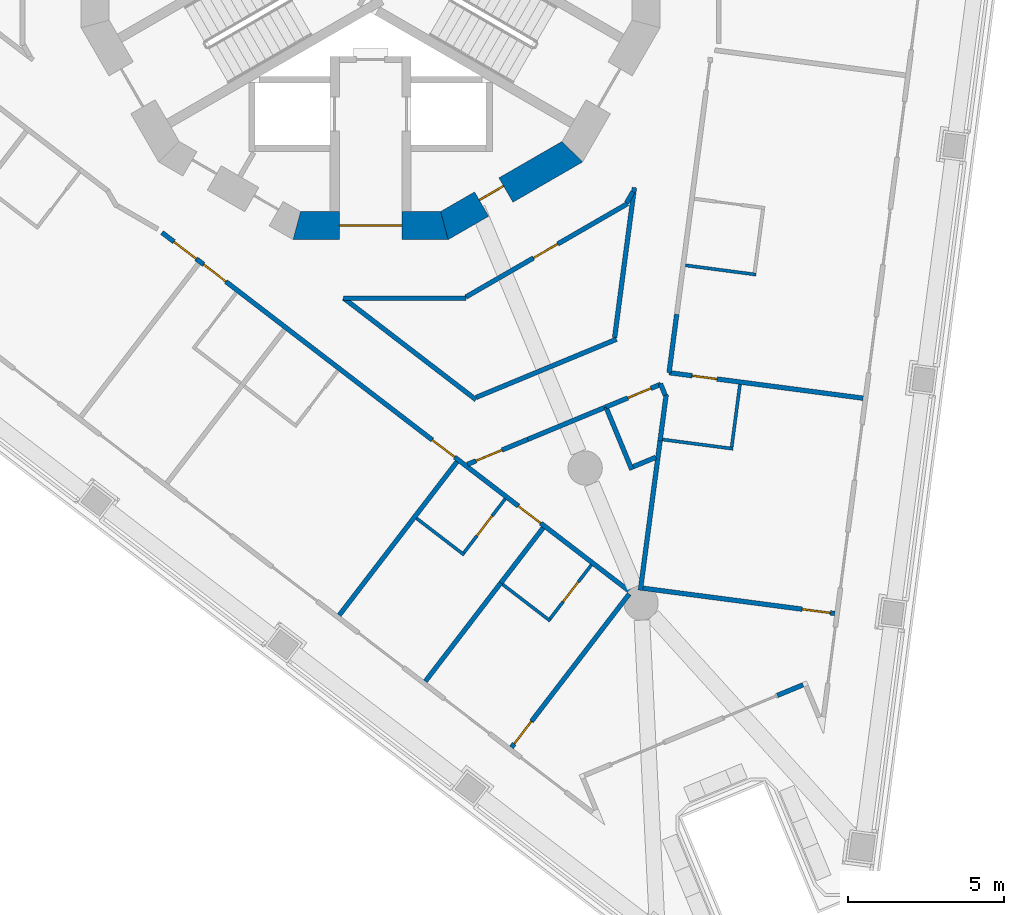
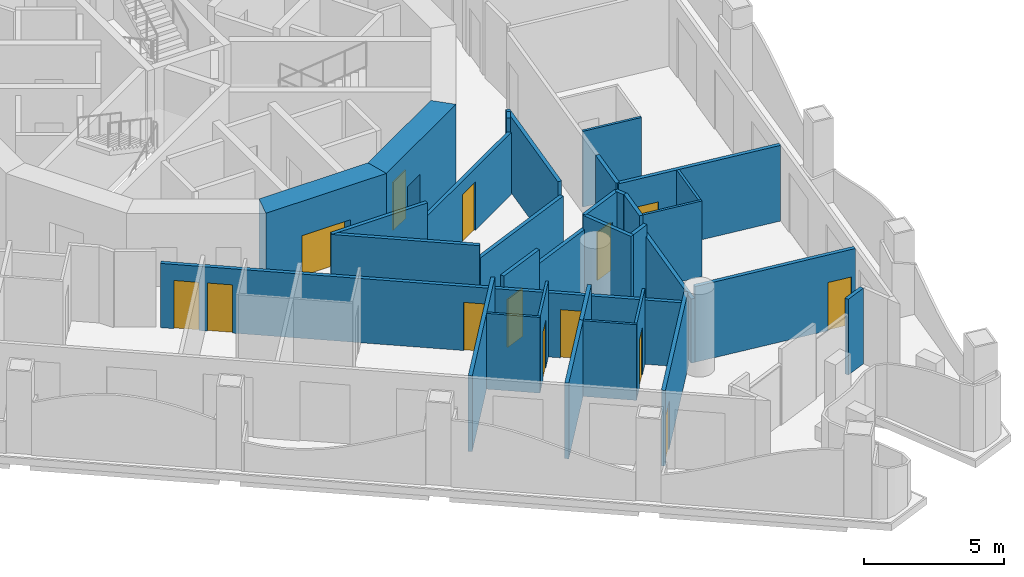
# One storey, part 4 of 17: 32 walls, 14 doors, 14 openings.
"""IFC4 building model written with IfcOpenShell, lengths in metres."""

from ifc_helpers import new_model, si_unit, direction, frame, frame_2d, origin, place, context, subcontext, project, spatial, polyline, rectangle, outline, extrude, material, layer, layer_set, type_object, element, fill, save


model = new_model("IFC4")

# Units and contexts
model_context = context("Model", 3, precision=1e-05, world=origin(), true_north=direction((0.0, 1.0)))
body_context = subcontext(model_context, "Body", "Model", "MODEL_VIEW")
ifc_project = project(units=[si_unit("LENGTHUNIT", "METRE"), si_unit("AREAUNIT", "SQUARE_METRE"), si_unit("VOLUMEUNIT", "CUBIC_METRE"), si_unit("PLANEANGLEUNIT", "RADIAN"), si_unit("MASSUNIT", "GRAM", prefix="KILO")], contexts=[model_context])

# Site, building, storey
site_placement = place(None, origin())
site = spatial("IfcSite", under=ifc_project, at=site_placement, CompositionType="ELEMENT")
building_placement = place(site_placement, origin())
building = spatial("IfcBuilding", under=site, at=building_placement, Name="Trine Commons Tower", CompositionType="ELEMENT")
storey_placement = place(building_placement, frame((0.0, 0.0, 138.60009765625)))
storey = spatial("IfcBuildingStorey", under=building, at=storey_placement, Name="L35", CompositionType="ELEMENT", Elevation=138.60009765625)

# Wall
ifc_material_1 = material(Name="Aluminium-framed insulated wall panel", Category="aluminium")
ifc_layer_1 = layer(ifc_material_1, 0.14990234375)
ifc_layer_set_1 = layer_set([ifc_layer_1], Name="Aluminium-framed insulated wall panel")
wall_type_1 = type_object("IfcWallType", Name="Glazed frame wall 150, EI 60", PredefinedType="SOLIDWALL", material=ifc_layer_set_1)
wall_1_placement = place(storey_placement, frame((93.951416015625, 39.009521484375, 0.0), z_axis=(0.0, 0.0, 1.0), x_axis=(-0.923826362943, -0.382811769845, 0.0)))
element("IfcWall", 1, at=wall_1_placement, inside=storey, type_object=wall_type_1, Name="Glazed frame wall P3.1", PredefinedType="SOLIDWALL", context=body_context, shape_type="SweptSolid", body=[
    extrude(outline(polyline([(0.110107421875, -0.074951171875), (1.0, -0.074951171875), (1.0, 0.074951171875), (0.110107421875, 0.074951171875), (0.110107421875, -0.074951171875)])), origin(), (0.0, 0.0, 1.0), 3.2998046875),
])

# Wall, opening, door
ifc_material_2 = material(Name="Concrete C70/85", Category="concrete")
ifc_layer_2 = layer(ifc_material_2, 0.89990234375)
ifc_layer_set_2 = layer_set([ifc_layer_2], Name="Concrete C70/85")
wall_type_2 = type_object("IfcWallType", Name="RC shear wall 900 mm, C70/85", PredefinedType="SHEAR", material=ifc_layer_set_2)
wall_2_placement = place(storey_placement, frame((77.515380859375, 53.677001953125, 0.0), z_axis=(0.0, 0.0, 1.0), x_axis=(1.0, 0.0, 0.0)))
wall_2 = element("IfcWall", 2, at=wall_2_placement, inside=storey, type_object=wall_type_2, Name="Core wall CWD-10 L35", PredefinedType="SHEAR", context=body_context, shape_type="SweptSolid", body=[
    extrude(outline(polyline([(0.0, -0.449951171875), (4.969482421875, -0.449951171875), (4.728271484375, 0.449951171875), (0.2412109375, 0.449951171875), (0.0, -0.449951171875)])), origin(), (0.0, 0.0, 1.0), 3.599853515625),
])
opening_1_placement = place(wall_2_placement, frame((1.484619140625, 0.0, 0.0)))
opening_1 = element("IfcOpeningElement", 3, at=opening_1_placement, cuts=wall_2, Name="Opening K10.08", PredefinedType="OPENING", context=body_context, shape_type="SweptSolid", body=[
    extrude(rectangle(XDim=2.0, YDim=2.10009765625, at=frame_2d((1.0, 1.050048828125))), frame((0.0, 0.4599609375, 0.0), z_axis=(0.0, -1.0, 0.0), x_axis=(1.0, 0.0, 0.0)), (0.0, 0.0, 1.0), 0.919921875),
])
ifc_material_3 = material(Name="Steel door leaves, fire-rated", Category="steel")
door_type_1 = type_object("IfcDoorType", Name="Lobby door, double leaf 2000 x 2100, FD60", OperationType="DOUBLE_DOOR_SINGLE_SWING", PredefinedType="DOOR", material=ifc_material_3)
door_1_placement = place(opening_1_placement, origin())
door_1 = element("IfcDoor", 4, at=door_1_placement, inside=storey, type_object=door_type_1, Name="Lobby door, Service and firefighting lobby L35", OperationType="DOUBLE_DOOR_SINGLE_SWING", OverallHeight=2.10009765625, OverallWidth=2.0, PredefinedType="DOOR", context=body_context, shape_type="SweptSolid", body=[
    extrude(rectangle(XDim=2.0, YDim=2.10009765625, at=frame_2d((1.0, 1.050048828125))), frame((0.0, 0.02490234375, 0.0), z_axis=(0.0, -1.0, 0.0), x_axis=(1.0, 0.0, 0.0)), (0.0, 0.0, 1.0), 0.050048828125),
])
fill(opening_1, door_1)

wall_3_placement = place(storey_placement, frame((82.259765625, 53.61669921875, 0.0), z_axis=(0.0, 0.0, 1.0), x_axis=(0.866003133579, 0.500038571144, 0.0)))
wall_3 = element("IfcWall", 5, at=wall_3_placement, inside=storey, type_object=wall_type_2, Name="Core wall CWD-11 L35", PredefinedType="SHEAR", context=body_context, shape_type="SweptSolid", body=[
    extrude(outline(polyline([(0.0, -0.449951171875), (4.96923828125, -0.449951171875), (4.72802734375, 0.449951171875), (0.2412109375, 0.449951171875), (0.0, -0.449951171875)])), origin(), (0.0, 0.0, 1.0), 3.599853515625),
])
opening_2_placement = place(wall_3_placement, frame((1.4951171875, 0.0, 0.0)))
opening_2 = element("IfcOpeningElement", 6, at=opening_2_placement, cuts=wall_3, Name="Opening K10.18", PredefinedType="OPENING", context=body_context, shape_type="SweptSolid", body=[
    extrude(rectangle(XDim=0.89990234375, YDim=2.10009765625, at=frame_2d((0.449951171875, 1.050048828125))), frame((0.0, 0.4599609375, 0.0), z_axis=(0.0, -1.0, 0.0), x_axis=(1.0, 0.0, 0.0)), (0.0, 0.0, 1.0), 0.919921875),
])
ifc_material_4 = material(Name="Steel door leaf, fire-rated", Category="steel")
door_type_2 = type_object("IfcDoorType", Name="Core room door, single leaf 900 x 2100, FD30S", OperationType="SINGLE_SWING_LEFT", PredefinedType="DOOR", material=ifc_material_4)
door_2_placement = place(opening_2_placement, origin())
door_2 = element("IfcDoor", 7, at=door_2_placement, inside=storey, type_object=door_type_2, Name="Door to Parcel store L35", OperationType="SINGLE_SWING_LEFT", OverallHeight=2.10009765625, OverallWidth=0.89990234375, PredefinedType="DOOR", context=body_context, shape_type="SweptSolid", body=[
    extrude(rectangle(XDim=0.89990234375, YDim=2.10009765625, at=frame_2d((0.449951171875, 1.050048828125))), frame((0.0, 0.1748046875, 0.0), z_axis=(0.0, -1.0, 0.0), x_axis=(1.0, 0.0, 0.0)), (0.0, 0.0, 1.0), 0.050048828125),
])
fill(opening_2, door_2)

# Wall, openings, doors
ifc_material_5 = material(Name="Gypsum plasterboard on steel stud", Category="steel")
ifc_layer_3 = layer(ifc_material_5, 0.14990234375)
ifc_layer_set_3 = layer_set([ifc_layer_3], Name="Gypsum plasterboard on steel stud")
wall_type_3 = type_object("IfcWallType", Name="Unit and corridor wall 150 mm, EI 60", PredefinedType="PARTITIONING", material=ifc_layer_set_3)
wall_4_placement = place(storey_placement, frame((73.318115234375, 53.4541015625, 0.0), z_axis=(0.0, 0.0, 1.0), x_axis=(0.793337765411, -0.60878172605, 0.0)))
wall_4 = element("IfcWall", 8, at=wall_4_placement, inside=storey, type_object=wall_type_3, Name="Partition 052", PredefinedType="PARTITIONING", context=body_context, shape_type="SweptSolid", body=[
    extrude(rectangle(XDim=18.994873046875, YDim=0.14990234375, at=frame_2d((9.49755859375, 0.0))), origin(), (0.0, 0.0, 1.0), 2.7998046875),
])
opening_3_placement = place(wall_4_placement, frame((14.39306640625, 0.0, 0.0)))
opening_3 = element("IfcOpeningElement", 9, at=opening_3_placement, cuts=wall_4, Name="Opening D-4B21", PredefinedType="OPENING", context=body_context, shape_type="SweptSolid", body=[
    extrude(rectangle(XDim=0.89990234375, YDim=2.10009765625, at=frame_2d((0.449951171875, 1.050048828125))), frame((0.0, 0.0849609375, 0.0), z_axis=(0.0, -1.0, 0.0), x_axis=(1.0, 0.0, 0.0)), (0.0, 0.0, 1.0), 0.169921875),
])
opening_4_placement = place(wall_4_placement, frame((10.91552734375, 0.0, 0.0)))
opening_4 = element("IfcOpeningElement", 10, at=opening_4_placement, cuts=wall_4, Name="Opening D-4B22", PredefinedType="OPENING", context=body_context, shape_type="SweptSolid", body=[
    extrude(rectangle(XDim=0.89990234375, YDim=2.10009765625, at=frame_2d((0.449951171875, 1.050048828125))), frame((0.0, 0.0849609375, 0.0), z_axis=(0.0, -1.0, 0.0), x_axis=(1.0, 0.0, 0.0)), (0.0, 0.0, 1.0), 0.169921875),
])
opening_5_placement = place(wall_4_placement, frame((1.6826171875, 0.0, 0.0)))
opening_5 = element("IfcOpeningElement", 11, at=opening_5_placement, cuts=wall_4, Name="Opening D-4B23", PredefinedType="OPENING", context=body_context, shape_type="SweptSolid", body=[
    extrude(rectangle(XDim=0.89990234375, YDim=2.10009765625, at=frame_2d((0.449951171875, 1.050048828125))), frame((0.0, 0.0849609375, 0.0), z_axis=(0.0, -1.0, 0.0), x_axis=(1.0, 0.0, 0.0)), (0.0, 0.0, 1.0), 0.169921875),
])
opening_6_placement = place(wall_4_placement, frame((0.482666015625, 0.0, 0.0)))
opening_6 = element("IfcOpeningElement", 12, at=opening_6_placement, cuts=wall_4, Name="Opening D-4B24", PredefinedType="OPENING", context=body_context, shape_type="SweptSolid", body=[
    extrude(rectangle(XDim=0.89990234375, YDim=2.10009765625, at=frame_2d((0.449951171875, 1.050048828125))), frame((0.0, 0.0849609375, 0.0), z_axis=(0.0, -1.0, 0.0), x_axis=(1.0, 0.0, 0.0)), (0.0, 0.0, 1.0), 0.169921875),
])
ifc_material_6 = material(Name="Timber fire door set", Category="wood")
door_type_3 = type_object("IfcDoorType", Name="Bedroom door 900 x 2100, FD30S", OperationType="NOTDEFINED", PredefinedType="DOOR", material=ifc_material_6)
door_3_placement = place(opening_3_placement, frame((0.89990234375, 0.0, 0.0), z_axis=(0.0, 0.0, 1.0), x_axis=(-1.0, 0.0, 0.0)))
door_3 = element("IfcDoor", 13, at=door_3_placement, inside=storey, type_object=door_type_3, Name="Door D-4B21", OperationType="SINGLE_SWING_LEFT", OverallHeight=2.10009765625, OverallWidth=0.89990234375, PredefinedType="DOOR", context=body_context, shape_type="SweptSolid", body=[
    extrude(rectangle(XDim=0.89990234375, YDim=2.10009765625, at=frame_2d((0.449951171875, 1.050048828125))), frame((0.0, 0.02490234375, 0.0), z_axis=(0.0, -1.0, 0.0), x_axis=(1.0, 0.0, 0.0)), (0.0, 0.0, 1.0), 0.050048828125),
])
fill(opening_3, door_3)
door_4_placement = place(opening_4_placement, frame((0.89990234375, 0.0, 0.0), z_axis=(0.0, 0.0, 1.0), x_axis=(-1.0, 0.0, 0.0)))
door_4 = element("IfcDoor", 14, at=door_4_placement, inside=storey, type_object=door_type_3, Name="Door D-4B22", OperationType="SINGLE_SWING_LEFT", OverallHeight=2.10009765625, OverallWidth=0.89990234375, PredefinedType="DOOR", context=body_context, shape_type="SweptSolid", body=[
    extrude(rectangle(XDim=0.89990234375, YDim=2.10009765625, at=frame_2d((0.449951171875, 1.050048828125))), frame((0.0, 0.02490234375, 0.0), z_axis=(0.0, -1.0, 0.0), x_axis=(1.0, 0.0, 0.0)), (0.0, 0.0, 1.0), 0.050048828125),
])
fill(opening_4, door_4)
door_5_placement = place(opening_5_placement, frame((0.89990234375, 0.0, 0.0), z_axis=(0.0, 0.0, 1.0), x_axis=(-1.0, 0.0, 0.0)))
door_5 = element("IfcDoor", 15, at=door_5_placement, inside=storey, type_object=door_type_3, Name="Door D-4B23", OperationType="SINGLE_SWING_RIGHT", OverallHeight=2.10009765625, OverallWidth=0.89990234375, PredefinedType="DOOR", context=body_context, shape_type="SweptSolid", body=[
    extrude(rectangle(XDim=0.89990234375, YDim=2.10009765625, at=frame_2d((0.449951171875, 1.050048828125))), frame((0.0, 0.02490234375, 0.0), z_axis=(0.0, -1.0, 0.0), x_axis=(1.0, 0.0, 0.0)), (0.0, 0.0, 1.0), 0.050048828125),
])
fill(opening_5, door_5)
door_6_placement = place(opening_6_placement, frame((0.89990234375, 0.0, 0.0), z_axis=(0.0, 0.0, 1.0), x_axis=(-1.0, 0.0, 0.0)))
door_6 = element("IfcDoor", 16, at=door_6_placement, inside=storey, type_object=door_type_3, Name="Door D-4B24", OperationType="SINGLE_SWING_RIGHT", OverallHeight=2.10009765625, OverallWidth=0.89990234375, PredefinedType="DOOR", context=body_context, shape_type="SweptSolid", body=[
    extrude(rectangle(XDim=0.89990234375, YDim=2.10009765625, at=frame_2d((0.449951171875, 1.050048828125))), frame((0.0, 0.02490234375, 0.0), z_axis=(0.0, -1.0, 0.0), x_axis=(1.0, 0.0, 0.0)), (0.0, 0.0, 1.0), 0.050048828125),
])
fill(opening_6, door_6)

# Walls
wall_5_placement = place(storey_placement, frame((78.994384765625, 41.19677734375, 0.0), z_axis=(0.0, 0.0, 1.0), x_axis=(0.608811285709, 0.79331508141, 0.0)))
element("IfcWall", 17, at=wall_5_placement, inside=storey, type_object=wall_type_3, Name="Partition 069", PredefinedType="PARTITIONING", context=body_context, shape_type="SweptSolid", body=[
    extrude(rectangle(XDim=6.194091796875, YDim=0.14990234375, at=frame_2d((3.09716796875, 0.0))), origin(), (0.0, 0.0, 1.0), 3.2998046875),
])
wall_6_placement = place(storey_placement, frame((79.134033203125, 51.35205078125, 0.0), z_axis=(0.0, 0.0, 1.0), x_axis=(1.0, 0.0, 0.0)))
element("IfcWall", 18, at=wall_6_placement, inside=storey, type_object=wall_type_3, Name="Partition 071", PredefinedType="PARTITIONING", context=body_context, shape_type="SweptSolid", body=[
    extrude(rectangle(XDim=3.927978515625, YDim=0.14990234375, at=frame_2d((1.9638671875, 0.0))), origin(), (0.0, 0.0, 1.0), 3.2998046875),
])
wall_7_placement = place(storey_placement, frame((79.137939453125, 51.35205078125, 0.0), z_axis=(0.0, 0.0, 1.0), x_axis=(0.793274409151, -0.608864280268, 0.0)))
element("IfcWall", 19, at=wall_7_placement, inside=storey, type_object=wall_type_3, Name="Partition 072", PredefinedType="PARTITIONING", context=body_context, shape_type="SweptSolid", body=[
    extrude(rectangle(XDim=5.340576171875, YDim=0.14990234375, at=frame_2d((2.67041015625, 0.0))), origin(), (0.0, 0.0, 1.0), 3.2998046875),
])
wall_8_placement = place(storey_placement, frame((81.75341796875, 39.07958984375, 0.0), z_axis=(0.0, 0.0, 1.0), x_axis=(0.608586492439, 0.793487543204, 0.0)))
element("IfcWall", 20, at=wall_8_placement, inside=storey, type_object=wall_type_3, Name="Partition 078", PredefinedType="PARTITIONING", context=body_context, shape_type="SweptSolid", body=[
    extrude(rectangle(XDim=3.968994140625, YDim=0.14990234375, at=frame_2d((1.984375, 0.0))), origin(), (0.0, 0.0, 1.0), 3.2998046875),
])

# Wall, opening, door
wall_9_placement = place(storey_placement, frame((83.052001953125, 51.389404296875, 0.0), z_axis=(0.0, 0.0, 1.0), x_axis=(0.866039280689, 0.499975963725, 0.0)))
wall_9 = element("IfcWall", 21, at=wall_9_placement, inside=storey, type_object=wall_type_3, Name="Partition 083", PredefinedType="PARTITIONING", context=body_context, shape_type="SweptSolid", body=[
    extrude(rectangle(XDim=5.974365234375, YDim=0.14990234375, at=frame_2d((2.9873046875, 0.0))), origin(), (0.0, 0.0, 1.0), 2.699951171875),
])
opening_7_placement = place(wall_9_placement, frame((2.499755859375, 0.0, 0.0)))
opening_7 = element("IfcOpeningElement", 22, at=opening_7_placement, cuts=wall_9, Name="Opening D-4B29", PredefinedType="OPENING", context=body_context, shape_type="SweptSolid", body=[
    extrude(rectangle(XDim=0.89990234375, YDim=2.10009765625, at=frame_2d((0.449951171875, 1.050048828125))), frame((0.0, 0.0849609375, 0.0), z_axis=(0.0, -1.0, 0.0), x_axis=(1.0, 0.0, 0.0)), (0.0, 0.0, 1.0), 0.169921875),
])
door_type_4 = type_object("IfcDoorType", Name="Service door 900 x 2100, FD30S", OperationType="NOTDEFINED", PredefinedType="DOOR", material=ifc_material_6)
door_7_placement = place(opening_7_placement, frame((0.89990234375, 0.0, 0.0), z_axis=(0.0, 0.0, 1.0), x_axis=(-1.0, 0.0, 0.0)))
door_7 = element("IfcDoor", 23, at=door_7_placement, inside=storey, type_object=door_type_4, Name="Door D-4B29", OperationType="SINGLE_SWING_RIGHT", OverallHeight=2.10009765625, OverallWidth=0.89990234375, PredefinedType="DOOR", context=body_context, shape_type="SweptSolid", body=[
    extrude(rectangle(XDim=0.89990234375, YDim=2.10009765625, at=frame_2d((0.449951171875, 1.050048828125))), frame((0.0, 0.02490234375, 0.0), z_axis=(0.0, -1.0, 0.0), x_axis=(1.0, 0.0, 0.0)), (0.0, 0.0, 1.0), 0.050048828125),
])
fill(opening_7, door_7)

wall_10_placement = place(storey_placement, frame((83.102294921875, 46.02880859375, 0.0), z_axis=(0.0, 0.0, 1.0), x_axis=(0.923986937012, 0.382424031973, 0.0)))
wall_10 = element("IfcWall", 24, at=wall_10_placement, inside=storey, type_object=wall_type_3, Name="Partition 085", PredefinedType="PARTITIONING", context=body_context, shape_type="SweptSolid", body=[
    extrude(rectangle(XDim=2.089599609375, YDim=0.14990234375, at=frame_2d((1.044921875, 0.0))), origin(), (0.0, 0.0, 1.0), 3.2998046875),
])
opening_8_placement = place(wall_10_placement, frame((0.2978515625, 0.0, 0.0)))
opening_8 = element("IfcOpeningElement", 25, at=opening_8_placement, cuts=wall_10, Name="Opening D-4B02", PredefinedType="OPENING", context=body_context, shape_type="SweptSolid", body=[
    extrude(rectangle(XDim=0.89990234375, YDim=2.10009765625, at=frame_2d((0.449951171875, 1.050048828125))), frame((0.0, 0.0849609375, 0.0), z_axis=(0.0, -1.0, 0.0), x_axis=(1.0, 0.0, 0.0)), (0.0, 0.0, 1.0), 0.169921875),
])
door_type_5 = type_object("IfcDoorType", Name="Cluster entrance door 900 x 2100, FD30S", OperationType="NOTDEFINED", PredefinedType="DOOR", material=ifc_material_6)
door_8_placement = place(opening_8_placement, frame((0.89990234375, 0.0, 0.0), z_axis=(0.0, 0.0, 1.0), x_axis=(-1.0, 0.0, 0.0)))
door_8 = element("IfcDoor", 26, at=door_8_placement, inside=storey, type_object=door_type_5, Name="Door D-4B02", OperationType="SINGLE_SWING_RIGHT", OverallHeight=2.10009765625, OverallWidth=0.89990234375, PredefinedType="DOOR", context=body_context, shape_type="SweptSolid", body=[
    extrude(rectangle(XDim=0.89990234375, YDim=2.10009765625, at=frame_2d((0.449951171875, 1.050048828125))), frame((0.0, 0.02490234375, 0.0), z_axis=(0.0, -1.0, 0.0), x_axis=(1.0, 0.0, 0.0)), (0.0, 0.0, 1.0), 0.050048828125),
])
fill(opening_8, door_8)

# Walls
wall_11_placement = place(storey_placement, frame((83.38427734375, 48.1748046875, 0.0), z_axis=(0.0, 0.0, 1.0), x_axis=(0.923876009177, 0.382691938335, 0.0)))
element("IfcWall", 27, at=wall_11_placement, inside=storey, type_object=wall_type_3, Name="Partition 086", PredefinedType="PARTITIONING", context=body_context, shape_type="SweptSolid", body=[
    extrude(rectangle(XDim=4.85986328125, YDim=0.14990234375, at=frame_2d((2.429931640625, 0.0))), origin(), (0.0, 0.0, 1.0), 2.699951171875),
])
wall_12_placement = place(storey_placement, frame((84.1689453125, 42.22900390625, 0.0), z_axis=(0.0, 0.0, 1.0), x_axis=(0.609212171412, 0.793007269956, 0.0)))
element("IfcWall", 28, at=wall_12_placement, inside=storey, type_object=wall_type_3, Name="Partition 088", PredefinedType="PARTITIONING", context=body_context, shape_type="SweptSolid", body=[
    extrude(rectangle(XDim=2.224853515625, YDim=0.14990234375, at=frame_2d((1.1123046875, 0.0))), origin(), (0.0, 0.0, 1.0), 3.2998046875),
])

# Wall, opening, door
wall_13_placement = place(storey_placement, frame((84.51220703125, 36.962646484375, 0.0), z_axis=(0.0, 0.0, 1.0), x_axis=(0.608712047114, 0.79339122991, 0.0)))
wall_13 = element("IfcWall", 29, at=wall_13_placement, inside=storey, type_object=wall_type_3, Name="Partition 090", PredefinedType="PARTITIONING", context=body_context, shape_type="SweptSolid", body=[
    extrude(rectangle(XDim=6.193359375, YDim=0.14990234375, at=frame_2d((3.0966796875, 0.0))), origin(), (0.0, 0.0, 1.0), 3.2998046875),
])
opening_9_placement = place(wall_13_placement, frame((0.14990234375, 0.0, 0.0)))
opening_9 = element("IfcOpeningElement", 30, at=opening_9_placement, cuts=wall_13, Name="Opening D-4B20", PredefinedType="OPENING", context=body_context, shape_type="SweptSolid", body=[
    extrude(rectangle(XDim=0.89990234375, YDim=2.10009765625, at=frame_2d((0.449951171875, 1.050048828125))), frame((0.0, 0.0849609375, 0.0), z_axis=(0.0, -1.0, 0.0), x_axis=(1.0, 0.0, 0.0)), (0.0, 0.0, 1.0), 0.169921875),
])
door_9_placement = place(opening_9_placement, origin())
door_9 = element("IfcDoor", 31, at=door_9_placement, inside=storey, type_object=door_type_3, Name="Door D-4B20", OperationType="SINGLE_SWING_LEFT", OverallHeight=2.10009765625, OverallWidth=0.89990234375, PredefinedType="DOOR", context=body_context, shape_type="SweptSolid", body=[
    extrude(rectangle(XDim=0.89990234375, YDim=2.10009765625, at=frame_2d((0.449951171875, 1.050048828125))), frame((0.0, 0.02490234375, 0.0), z_axis=(0.0, -1.0, 0.0), x_axis=(1.0, 0.0, 0.0)), (0.0, 0.0, 1.0), 0.050048828125),
])
fill(opening_9, door_9)

# Wall
wall_14_placement = place(storey_placement, frame((85.032958984375, 46.827880859375, 0.0), z_axis=(0.0, 0.0, 1.0), x_axis=(0.923769467477, 0.382949044857, 0.0)))
element("IfcWall", 32, at=wall_14_placement, inside=storey, type_object=wall_type_3, Name="Partition 091", PredefinedType="PARTITIONING", context=body_context, shape_type="SweptSolid", body=[
    extrude(rectangle(XDim=2.695556640625, YDim=0.14990234375, at=frame_2d((1.34765625, 0.0))), origin(), (0.0, 0.0, 1.0), 2.699951171875),
])

# Wall, opening, door
wall_15_placement = place(storey_placement, frame((87.532958984375, 47.864013671875, 0.0), z_axis=(0.0, 0.0, 1.0), x_axis=(0.923851437131, 0.382751253571, 0.0)))
wall_15 = element("IfcWall", 33, at=wall_15_placement, inside=storey, type_object=wall_type_3, Name="Partition 099", PredefinedType="PARTITIONING", context=body_context, shape_type="SweptSolid", body=[
    extrude(rectangle(XDim=1.9072265625, YDim=0.14990234375, at=frame_2d((0.95361328125, 0.0))), origin(), (0.0, 0.0, 1.0), 3.2998046875),
])
opening_10_placement = place(wall_15_placement, frame((0.764892578125, 0.0, 0.0)))
opening_10 = element("IfcOpeningElement", 34, at=opening_10_placement, cuts=wall_15, Name="Opening D-4B04", PredefinedType="OPENING", context=body_context, shape_type="SweptSolid", body=[
    extrude(rectangle(XDim=0.800048828125, YDim=2.10009765625, at=frame_2d((0.39990234375, 1.050048828125))), frame((0.0, 0.0849609375, 0.0), z_axis=(0.0, -1.0, 0.0), x_axis=(1.0, 0.0, 0.0)), (0.0, 0.0, 1.0), 0.169921875),
])
ifc_material_7 = material(Name="Painted timber", Category="wood")
door_type_6 = type_object("IfcDoorType", Name="Toilet door 800 x 2100, NOT RATED", OperationType="NOTDEFINED", PredefinedType="DOOR", material=ifc_material_7)
door_10_placement = place(opening_10_placement, frame((0.800048828125, 0.0, 0.0), z_axis=(0.0, 0.0, 1.0), x_axis=(-1.0, 0.0, 0.0)))
door_10 = element("IfcDoor", 35, at=door_10_placement, inside=storey, type_object=door_type_6, Name="Door D-4B04", OperationType="SINGLE_SWING_LEFT", OverallHeight=2.10009765625, OverallWidth=0.800048828125, PredefinedType="DOOR", context=body_context, shape_type="SweptSolid", body=[
    extrude(rectangle(XDim=0.800048828125, YDim=2.10009765625, at=frame_2d((0.39990234375, 1.050048828125))), frame((0.0, 0.02490234375, 0.0), z_axis=(0.0, -1.0, 0.0), x_axis=(1.0, 0.0, 0.0)), (0.0, 0.0, 1.0), 0.050048828125),
])
fill(opening_10, door_10)

# Walls
wall_16_placement = place(storey_placement, frame((87.537109375, 47.864990234375, 0.0), z_axis=(0.0, 0.0, 1.0), x_axis=(0.382398068784, -0.923997682351, 0.0)))
element("IfcWall", 36, at=wall_16_placement, inside=storey, type_object=wall_type_3, Name="Partition 100", PredefinedType="PARTITIONING", context=body_context, shape_type="SweptSolid", body=[
    extrude(rectangle(XDim=2.174560546875, YDim=0.14990234375, at=frame_2d((1.08740234375, 0.0))), origin(), (0.0, 0.0, 1.0), 3.2998046875),
])
wall_17_placement = place(storey_placement, frame((87.814697265625, 50.080322265625, 0.0), z_axis=(0.0, 0.0, 1.0), x_axis=(0.130546835993, 0.991442143351, 0.0)))
element("IfcWall", 37, at=wall_17_placement, inside=storey, type_object=wall_type_3, Name="Partition 102", PredefinedType="PARTITIONING", context=body_context, shape_type="SweptSolid", body=[
    extrude(rectangle(XDim=4.856689453125, YDim=0.14990234375, at=frame_2d((2.42822265625, 0.0))), origin(), (0.0, 0.0, 1.0), 3.2998046875),
])
wall_18_placement = place(storey_placement, frame((88.198486328125, 54.404052734375, 0.0), z_axis=(0.0, 0.0, 1.0), x_axis=(0.499481060725, 0.866324806281, 0.0)))
element("IfcWall", 38, at=wall_18_placement, inside=storey, type_object=wall_type_3, Name="Partition 105", PredefinedType="PARTITIONING", context=body_context, shape_type="SweptSolid", body=[
    extrude(rectangle(XDim=0.40869140625, YDim=0.14990234375, at=frame_2d((0.204345703125, 0.0))), origin(), (0.0, 0.0, 1.0), 3.2998046875),
])
wall_19_placement = place(storey_placement, frame((88.4091796875, 45.95361328125, 0.0), z_axis=(0.0, 0.0, 1.0), x_axis=(0.92369931044, 0.383118237484, 0.0)))
element("IfcWall", 39, at=wall_19_placement, inside=storey, type_object=wall_type_3, Name="Partition 107", PredefinedType="PARTITIONING", context=body_context, shape_type="SweptSolid", body=[
    extrude(rectangle(XDim=0.78759765625, YDim=0.14990234375, at=frame_2d((0.393798828125, 0.0))), origin(), (0.0, 0.0, 1.0), 3.2998046875),
])
wall_20_placement = place(storey_placement, frame((88.64111328125, 41.99560546875, 0.0), z_axis=(0.0, 0.0, 1.0), x_axis=(0.130614848927, 0.991433185464, 0.0)))
element("IfcWall", 40, at=wall_20_placement, inside=storey, type_object=wall_type_3, Name="Partition 108", PredefinedType="PARTITIONING", context=body_context, shape_type="SweptSolid", body=[
    extrude(rectangle(XDim=4.884033203125, YDim=0.14990234375, at=frame_2d((2.44189453125, 0.0))), origin(), (0.0, 0.0, 1.0), 2.7998046875),
])

# Wall, opening, door
wall_21_placement = place(storey_placement, frame((88.725341796875, 42.060302734375, 0.0), z_axis=(0.0, 0.0, 1.0), x_axis=(0.991454966236, -0.130449415202, 0.0)))
wall_21 = element("IfcWall", 41, at=wall_21_placement, inside=storey, type_object=wall_type_3, Name="Partition 109", PredefinedType="PARTITIONING", context=body_context, shape_type="SweptSolid", body=[
    extrude(rectangle(XDim=6.19482421875, YDim=0.14990234375, at=frame_2d((3.097412109375, 0.0))), origin(), (0.0, 0.0, 1.0), 3.2998046875),
])
opening_11_placement = place(wall_21_placement, frame((5.14501953125, 0.0, 0.0)))
opening_11 = element("IfcOpeningElement", 42, at=opening_11_placement, cuts=wall_21, Name="Opening D-4B19", PredefinedType="OPENING", context=body_context, shape_type="SweptSolid", body=[
    extrude(rectangle(XDim=0.89990234375, YDim=2.10009765625, at=frame_2d((0.449951171875, 1.050048828125))), frame((0.0, 0.0849609375, 0.0), z_axis=(0.0, -1.0, 0.0), x_axis=(1.0, 0.0, 0.0)), (0.0, 0.0, 1.0), 0.169921875),
])
door_11_placement = place(opening_11_placement, origin())
door_11 = element("IfcDoor", 43, at=door_11_placement, inside=storey, type_object=door_type_3, Name="Door D-4B19", OperationType="SINGLE_SWING_RIGHT", OverallHeight=2.10009765625, OverallWidth=0.89990234375, PredefinedType="DOOR", context=body_context, shape_type="SweptSolid", body=[
    extrude(rectangle(XDim=0.89990234375, YDim=2.10009765625, at=frame_2d((0.449951171875, 1.050048828125))), frame((0.0, 0.02490234375, 0.0), z_axis=(0.0, -1.0, 0.0), x_axis=(1.0, 0.0, 0.0)), (0.0, 0.0, 1.0), 0.050048828125),
])
fill(opening_11, door_11)

# Walls
wall_22_placement = place(storey_placement, frame((89.271484375, 46.780517578125, 0.0), z_axis=(0.0, 0.0, 1.0), x_axis=(0.130968577384, 0.991386519849, 0.0)))
element("IfcWall", 44, at=wall_22_placement, inside=storey, type_object=wall_type_3, Name="Partition 111", PredefinedType="PARTITIONING", context=body_context, shape_type="SweptSolid", body=[
    extrude(rectangle(XDim=1.498779296875, YDim=0.14990234375, at=frame_2d((0.74951171875, 0.0))), origin(), (0.0, 0.0, 1.0), 3.2998046875),
])
wall_23_placement = place(storey_placement, frame((89.283935546875, 48.611328125, 0.0), z_axis=(0.0, 0.0, 1.0), x_axis=(0.383358021714, -0.923599819829, 0.0)))
element("IfcWall", 45, at=wall_23_placement, inside=storey, type_object=wall_type_3, Name="Partition 113", PredefinedType="PARTITIONING", context=body_context, shape_type="SweptSolid", body=[
    extrude(rectangle(XDim=0.39990234375, YDim=0.14990234375, at=frame_2d((0.199951171875, 0.0))), origin(), (0.0, 0.0, 1.0), 3.2998046875),
])
wall_24_placement = place(storey_placement, frame((89.55908203125, 48.9609375, 0.0), z_axis=(0.0, 0.0, 1.0), x_axis=(0.130073589494, 0.99150434256, 0.0)))
element("IfcWall", 46, at=wall_24_placement, inside=storey, type_object=wall_type_3, Name="Partition 114", PredefinedType="PARTITIONING", context=body_context, shape_type="SweptSolid", body=[
    extrude(rectangle(XDim=1.89013671875, YDim=0.14990234375, at=frame_2d((0.945068359375, 0.0))), origin(), (0.0, 0.0, 1.0), 3.2998046875),
])

# Wall, opening, door
wall_25_placement = place(storey_placement, frame((89.55908203125, 48.965087890625, 0.0), z_axis=(0.0, 0.0, 1.0), x_axis=(0.991455620836, -0.130444439942, 0.0)))
wall_25 = element("IfcWall", 47, at=wall_25_placement, inside=storey, type_object=wall_type_3, Name="Partition 115", PredefinedType="PARTITIONING", context=body_context, shape_type="SweptSolid", body=[
    extrude(rectangle(XDim=6.269775390625, YDim=0.14990234375, at=frame_2d((3.134765625, 0.0))), origin(), (0.0, 0.0, 1.0), 3.2998046875),
])
opening_12_placement = place(wall_25_placement, frame((0.750244140625, 0.0, 0.0)))
opening_12 = element("IfcOpeningElement", 48, at=opening_12_placement, cuts=wall_25, Name="Opening D-4B49", PredefinedType="OPENING", context=body_context, shape_type="SweptSolid", body=[
    extrude(rectangle(XDim=0.800048828125, YDim=2.10009765625, at=frame_2d((0.39990234375, 1.050048828125))), frame((0.0, 0.0849609375, 0.0), z_axis=(0.0, -1.0, 0.0), x_axis=(1.0, 0.0, 0.0)), (0.0, 0.0, 1.0), 0.169921875),
])
door_type_7 = type_object("IfcDoorType", Name="Internal door 800 x 2100, NOT RATED", OperationType="NOTDEFINED", PredefinedType="DOOR", material=ifc_material_7)
door_12_placement = place(opening_12_placement, origin())
door_12 = element("IfcDoor", 49, at=door_12_placement, inside=storey, type_object=door_type_7, Name="Door D-4B49", OperationType="SINGLE_SWING_LEFT", OverallHeight=2.10009765625, OverallWidth=0.800048828125, PredefinedType="DOOR", context=body_context, shape_type="SweptSolid", body=[
    extrude(rectangle(XDim=0.800048828125, YDim=2.10009765625, at=frame_2d((0.39990234375, 1.050048828125))), frame((0.0, 0.02490234375, 0.0), z_axis=(0.0, -1.0, 0.0), x_axis=(1.0, 0.0, 0.0)), (0.0, 0.0, 1.0), 0.050048828125),
])
fill(opening_12, door_12)

# Wall
ifc_layer_4 = layer(ifc_material_5, 0.10009765625)
ifc_layer_set_4 = layer_set([ifc_layer_4], Name="Gypsum plasterboard on steel stud")
wall_type_4 = type_object("IfcWallType", Name="Unit partition 100 mm, no rating", PredefinedType="PARTITIONING", material=ifc_layer_set_4)
wall_26_placement = place(storey_placement, frame((81.470458984375, 44.30029296875, 0.0), z_axis=(0.0, 0.0, 1.0), x_axis=(0.793132716202, -0.609048844092, 0.0)))
element("IfcWall", 50, at=wall_26_placement, inside=storey, type_object=wall_type_4, Name="Partition 076", PredefinedType="PARTITIONING", context=body_context, shape_type="SweptSolid", body=[
    extrude(rectangle(XDim=1.92578125, YDim=0.10009765625, at=frame_2d((0.962890625, 0.0))), origin(), (0.0, 0.0, 1.0), 3.2998046875),
])

# Wall, opening, door
wall_27_placement = place(storey_placement, frame((82.98828125, 43.19775390625, 0.0), z_axis=(0.0, 0.0, 1.0), x_axis=(0.608744865415, 0.793366049709, 0.0)))
wall_27 = element("IfcWall", 51, at=wall_27_placement, inside=storey, type_object=wall_type_4, Name="Partition 082", PredefinedType="PARTITIONING", context=body_context, shape_type="SweptSolid", body=[
    extrude(rectangle(XDim=2.17529296875, YDim=0.10009765625, at=frame_2d((1.087646484375, 0.0))), origin(), (0.0, 0.0, 1.0), 3.2998046875),
])
opening_13_placement = place(wall_27_placement, frame((0.6875, 0.0, 0.0)))
opening_13 = element("IfcOpeningElement", 52, at=opening_13_placement, cuts=wall_27, Name="Opening D-4B51", PredefinedType="OPENING", context=body_context, shape_type="SweptSolid", body=[
    extrude(rectangle(XDim=0.800048828125, YDim=2.10009765625, at=frame_2d((0.39990234375, 1.050048828125))), frame((0.0, 0.06005859375, 0.0), z_axis=(0.0, -1.0, 0.0), x_axis=(1.0, 0.0, 0.0)), (0.0, 0.0, 1.0), 0.1201171875),
])
door_13_placement = place(opening_13_placement, frame((0.800048828125, 0.0, 0.0), z_axis=(0.0, 0.0, 1.0), x_axis=(-1.0, 0.0, 0.0)))
door_13 = element("IfcDoor", 53, at=door_13_placement, inside=storey, type_object=door_type_7, Name="Door D-4B51", OperationType="SINGLE_SWING_LEFT", OverallHeight=2.10009765625, OverallWidth=0.800048828125, PredefinedType="DOOR", context=body_context, shape_type="SweptSolid", body=[
    extrude(rectangle(XDim=0.800048828125, YDim=2.10009765625, at=frame_2d((0.39990234375, 1.050048828125))), frame((0.0, 0.02490234375, 0.0), z_axis=(0.0, -1.0, 0.0), x_axis=(1.0, 0.0, 0.0)), (0.0, 0.0, 1.0), 0.050048828125),
])
fill(opening_13, door_13)

# Wall
wall_28_placement = place(storey_placement, frame((84.228515625, 42.183349609375, 0.0), z_axis=(0.0, 0.0, 1.0), x_axis=(0.793391951231, -0.608711106948, 0.0)))
element("IfcWall", 54, at=wall_28_placement, inside=storey, type_object=wall_type_4, Name="Partition 089", PredefinedType="PARTITIONING", context=body_context, shape_type="SweptSolid", body=[
    extrude(rectangle(XDim=1.9248046875, YDim=0.10009765625, at=frame_2d((0.96240234375, 0.0))), origin(), (0.0, 0.0, 1.0), 3.2998046875),
])

# Wall, opening, door
wall_29_placement = place(storey_placement, frame((85.74658203125, 41.081787109375, 0.0), z_axis=(0.0, 0.0, 1.0), x_axis=(0.60915721009, 0.793049489878, 0.0)))
wall_29 = element("IfcWall", 55, at=wall_29_placement, inside=storey, type_object=wall_type_4, Name="Partition 092", PredefinedType="PARTITIONING", context=body_context, shape_type="SweptSolid", body=[
    extrude(rectangle(XDim=2.174560546875, YDim=0.10009765625, at=frame_2d((1.08740234375, 0.0))), origin(), (0.0, 0.0, 1.0), 3.2998046875),
])
opening_14_placement = place(wall_29_placement, frame((0.6875, 0.0, 0.0)))
opening_14 = element("IfcOpeningElement", 56, at=opening_14_placement, cuts=wall_29, Name="Opening D-4B50", PredefinedType="OPENING", context=body_context, shape_type="SweptSolid", body=[
    extrude(rectangle(XDim=0.800048828125, YDim=2.10009765625, at=frame_2d((0.39990234375, 1.050048828125))), frame((0.0, 0.06005859375, 0.0), z_axis=(0.0, -1.0, 0.0), x_axis=(1.0, 0.0, 0.0)), (0.0, 0.0, 1.0), 0.1201171875),
])
door_14_placement = place(opening_14_placement, frame((0.800048828125, 0.0, 0.0), z_axis=(0.0, 0.0, 1.0), x_axis=(-1.0, 0.0, 0.0)))
door_14 = element("IfcDoor", 57, at=door_14_placement, inside=storey, type_object=door_type_7, Name="Door D-4B50", OperationType="SINGLE_SWING_LEFT", OverallHeight=2.10009765625, OverallWidth=0.800048828125, PredefinedType="DOOR", context=body_context, shape_type="SweptSolid", body=[
    extrude(rectangle(XDim=0.800048828125, YDim=2.10009765625, at=frame_2d((0.39990234375, 1.050048828125))), frame((0.0, 0.02490234375, 0.0), z_axis=(0.0, -1.0, 0.0), x_axis=(1.0, 0.0, 0.0)), (0.0, 0.0, 1.0), 0.050048828125),
])
fill(opening_14, door_14)

# Walls
for number, where, z_axis, x_axis, name in (
    (58, (89.353515625, 46.82421875, 0.0), (0.0, 0.0, 1.0), (0.991459774706, -0.130412864162, 0.0), "Partition 112"),
    (59, (90.08740234375, 52.4033203125, 0.0), (0.0, 0.0, 1.0), (0.991445890878, -0.130518372124, 0.0), "Partition 118"),
):
    element("IfcWall", number, at=place(storey_placement, frame(where, z_axis=z_axis, x_axis=x_axis)), inside=storey, type_object=wall_type_4, Name=name, PredefinedType="PARTITIONING", context=body_context, shape_type="SweptSolid", body=[
        extrude(rectangle(XDim=2.274658203125, YDim=0.10009765625, at=frame_2d((1.13720703125, 0.0))), origin(), (0.0, 0.0, 1.0), 3.2998046875),
    ])
wall_30_placement = place(storey_placement, frame((91.5654296875, 46.58349609375, 0.0), z_axis=(0.0, 0.0, 1.0), x_axis=(0.130725909934, 0.991418547573, 0.0)))
element("IfcWall", 60, at=wall_30_placement, inside=storey, type_object=wall_type_4, Name="Partition 129", PredefinedType="PARTITIONING", context=body_context, shape_type="SweptSolid", body=[
    extrude(rectangle(XDim=2.0244140625, YDim=0.10009765625, at=frame_2d((1.01220703125, 0.0))), origin(), (0.0, 0.0, 1.0), 3.2998046875),
])

save(model, "model.ifc")
